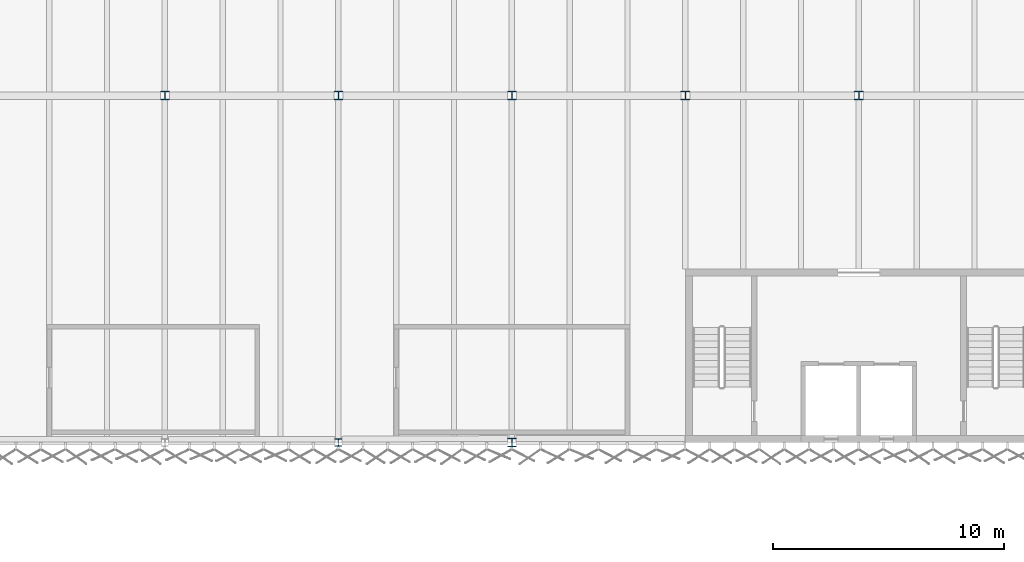
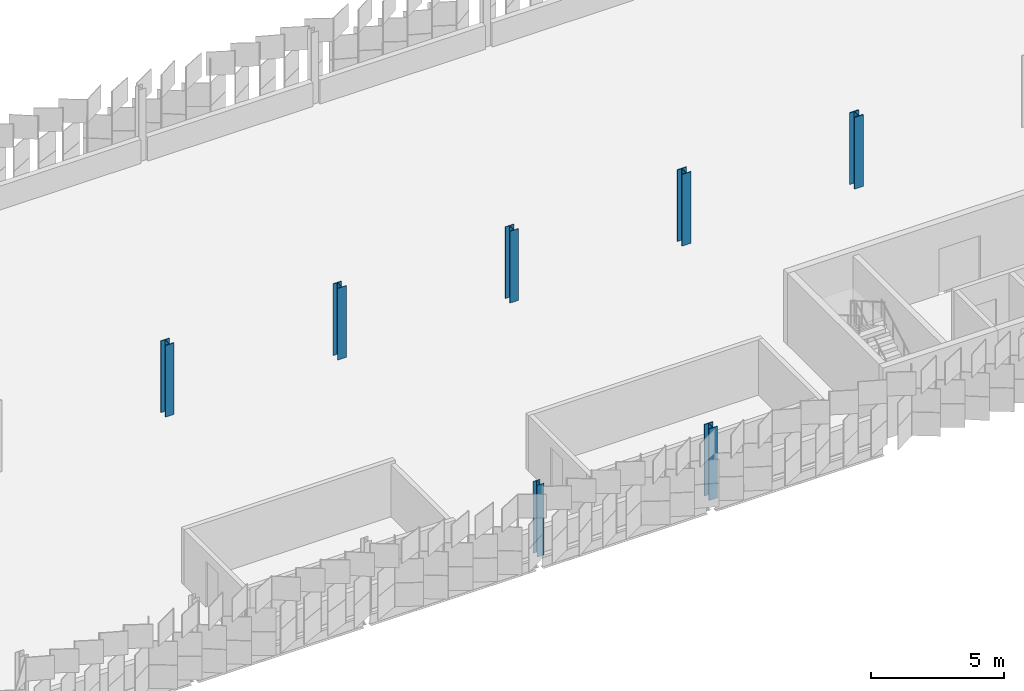
# One storey, part 12 of 198: 7 columns.
"""IFC4 building model written with IfcOpenShell, lengths in metres."""

from ifc_helpers import new_model, si_unit, direction, frame, origin, origin_2d, place, context, subcontext, project, spatial, i_section, extrude, material, material_profile, profile_set, type_object, element, save


model = new_model("IFC4")

# Units and contexts
model_context = context("Model", 3, precision=1e-05, world=origin(), true_north=direction((0.0, 1.0)))
body_context = subcontext(model_context, "Body", "Model", "MODEL_VIEW")
ifc_project = project(units=[si_unit("LENGTHUNIT", "METRE"), si_unit("AREAUNIT", "SQUARE_METRE"), si_unit("VOLUMEUNIT", "CUBIC_METRE"), si_unit("PLANEANGLEUNIT", "RADIAN"), si_unit("MASSUNIT", "GRAM", prefix="KILO")], contexts=[model_context])

# Site, building, storey
site_placement = place(None, origin())
site = spatial("IfcSite", under=ifc_project, at=site_placement, CompositionType="ELEMENT")
building_placement = place(site_placement, origin())
building = spatial("IfcBuilding", under=site, at=building_placement, Name="Parallax Yard Mobility Hub", CompositionType="ELEMENT")
storey_placement = place(building_placement, frame((0.0, 0.0, 6.60009765625)))
storey = spatial("IfcBuildingStorey", under=building, at=storey_placement, Name="L02", CompositionType="ELEMENT", Elevation=6.60009765625)

# Columns
ifc_material = material(Name="Steel ASTM A992", Category="steel")
ifc_material_profile_1 = material_profile(ifc_material, i_section(OverallWidth=0.304931640625, OverallDepth=0.306884765625, WebThickness=0.010009765625, FlangeThickness=0.015380859375, FilletRadius=0.01513671875, at=origin_2d()), Name="W310x97")
ifc_profile_set_1 = profile_set([ifc_material_profile_1], Name="Steel ASTM A992")
column_type_1 = type_object("IfcColumnType", Name="W310x97 column", PredefinedType="COLUMN", material=ifc_profile_set_1)
column_1_placement = place(storey_placement, frame((112.5, 112.5, 0.0), z_axis=(0.0, 0.0, 1.0), x_axis=(1.0, 0.0, 0.0)))
element("IfcColumn", 1, at=column_1_placement, inside=storey, type_object=column_type_1, Name="Column C1 level L02 at R/16 of ramped parking decks", PredefinedType="COLUMN", context=body_context, shape_type="SweptSolid", body=[
    extrude(i_section(OverallWidth=0.304931640625, OverallDepth=0.306884765625, WebThickness=0.010009765625, FlangeThickness=0.015380859375, FilletRadius=0.01513671875, at=origin_2d()), origin(), (0.0, 0.0, 1.0), 3.2998046875),
])
ifc_material_profile_2 = material_profile(ifc_material, i_section(OverallWidth=0.373046875, OverallDepth=0.367919921875, WebThickness=0.014892578125, FlangeThickness=0.02392578125, FilletRadius=0.01513671875, at=origin_2d()), Name="W360x179")
ifc_profile_set_2 = profile_set([ifc_material_profile_2], Name="Steel ASTM A992")
column_type_2 = type_object("IfcColumnType", Name="W360x179 column", PredefinedType="COLUMN", material=ifc_profile_set_2)
for number, where, z_axis, x_axis, name in (
    (2, (105.0, 127.5, 0.0), (0.0, 0.0, 1.0), (1.0, 0.0, 0.0), "Column C7 level L02 at T/15 of ramped parking decks"),
    (3, (112.5, 127.5, 0.0), (0.0, 0.0, 1.0), (1.0, 0.0, 0.0), "Column C7 level L02 at T/16 of ramped parking decks"),
    (4, (120.0, 112.5, 0.0), (0.0, 0.0, 1.0), (1.0, 0.0, 0.0), "Column C7 level L02 at R/17 of ramped parking decks"),
    (5, (120.0, 127.5, 0.0), (0.0, 0.0, 1.0), (1.0, 0.0, 0.0), "Column C7 level L02 at T/17 of ramped parking decks"),
):
    element("IfcColumn", number, at=place(storey_placement, frame(where, z_axis=z_axis, x_axis=x_axis)), inside=storey, type_object=column_type_2, Name=name, PredefinedType="COLUMN", context=body_context, shape_type="SweptSolid", body=[
        extrude(i_section(OverallWidth=0.373046875, OverallDepth=0.367919921875, WebThickness=0.014892578125, FlangeThickness=0.02392578125, FilletRadius=0.01513671875, at=origin_2d()), origin(), (0.0, 0.0, 1.0), 3.2998046875),
    ])
ifc_material_profile_3 = material_profile(ifc_material, i_section(OverallWidth=0.39404296875, OverallDepth=0.3759765625, WebThickness=0.017333984375, FlangeThickness=0.027587890625, FilletRadius=0.01513671875, at=origin_2d()), Name="W360x216")
ifc_profile_set_3 = profile_set([ifc_material_profile_3], Name="Steel ASTM A992")
column_type_3 = type_object("IfcColumnType", Name="W360x216 column", PredefinedType="COLUMN", material=ifc_profile_set_3)
column_2_placement = place(storey_placement, frame((127.5, 127.5, 0.0), z_axis=(0.0, 0.0, 1.0), x_axis=(1.0, 0.0, 0.0)))
element("IfcColumn", 6, at=column_2_placement, inside=storey, type_object=column_type_3, Name="Column C9 level L02 at T/18 of ramped parking decks", PredefinedType="COLUMN", context=body_context, shape_type="SweptSolid", body=[
    extrude(i_section(OverallWidth=0.39404296875, OverallDepth=0.3759765625, WebThickness=0.017333984375, FlangeThickness=0.027587890625, FilletRadius=0.01513671875, at=origin_2d()), origin(), (0.0, 0.0, 1.0), 3.2998046875),
])
ifc_material_profile_4 = material_profile(ifc_material, i_section(OverallWidth=0.39599609375, OverallDepth=0.381103515625, WebThickness=0.018798828125, FlangeThickness=0.0302734375, FilletRadius=0.015380859375, at=origin_2d()), Name="W360x237")
ifc_profile_set_4 = profile_set([ifc_material_profile_4], Name="Steel ASTM A992")
column_type_4 = type_object("IfcColumnType", Name="W360x237 column", PredefinedType="COLUMN", material=ifc_profile_set_4)
column_3_placement = place(storey_placement, frame((135.0, 127.5, 0.0), z_axis=(0.0, 0.0, 1.0), x_axis=(1.0, 0.0, 0.0)))
element("IfcColumn", 7, at=column_3_placement, inside=storey, type_object=column_type_4, Name="Column C10 level L02 at T/19 of ramped parking decks", PredefinedType="COLUMN", context=body_context, shape_type="SweptSolid", body=[
    extrude(i_section(OverallWidth=0.39599609375, OverallDepth=0.381103515625, WebThickness=0.018798828125, FlangeThickness=0.0302734375, FilletRadius=0.015380859375, at=origin_2d()), origin(), (0.0, 0.0, 1.0), 3.2998046875),
])

save(model, "model.ifc")
